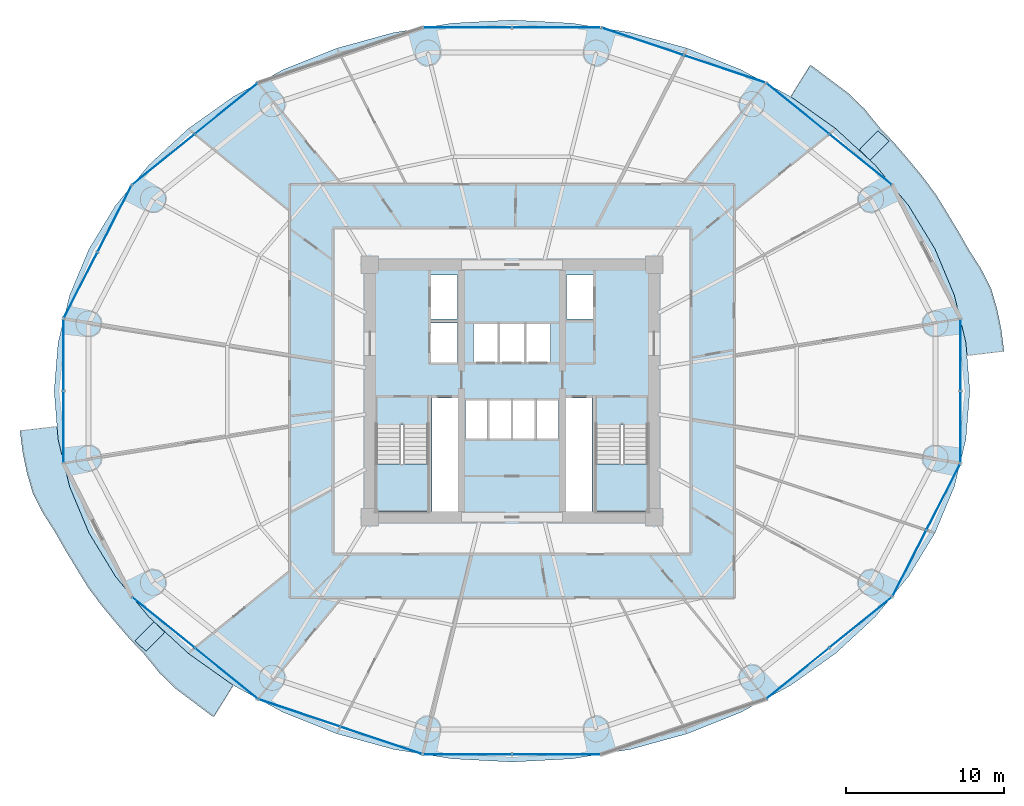
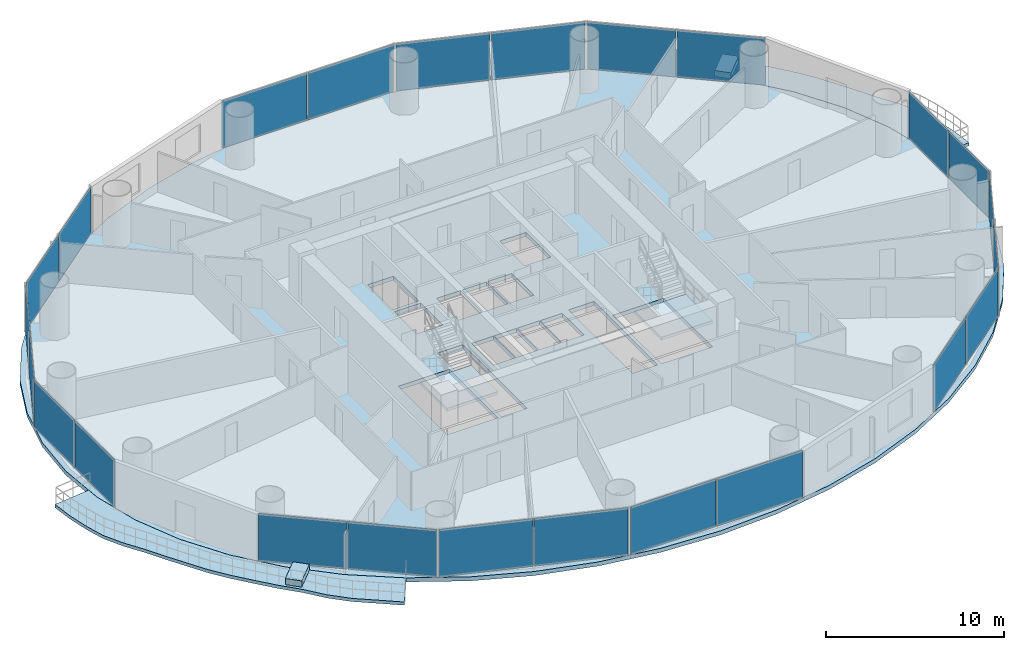
# One storey, part 22 of 30: 24 plates, 7 slabs, 14 elements without a shape of their own.
"""IFC4 building model written with IfcOpenShell, lengths in metres."""

from ifc_helpers import new_model, si_unit, direction, frame, origin, origin_2d, place, context, subcontext, project, spatial, polyline, rectangle, outline, extrude, source, transform, mapped, material, layer, layer_set, type_object, element, aggregate, save


model = new_model("IFC4")

# Units and contexts
model_context = context("Model", 3, precision=1e-05, world=origin(), true_north=direction((-0.2419218956, 0.970295726276)))
body_context = subcontext(model_context, "Body", "Model", "MODEL_VIEW")
ifc_project = project(units=[si_unit("LENGTHUNIT", "METRE"), si_unit("AREAUNIT", "SQUARE_METRE"), si_unit("VOLUMEUNIT", "CUBIC_METRE"), si_unit("PLANEANGLEUNIT", "RADIAN"), si_unit("MASSUNIT", "GRAM", prefix="KILO")], contexts=[model_context])

# Site, building, storey
site_placement = place(None, origin())
site = spatial("IfcSite", under=ifc_project, at=site_placement, CompositionType="ELEMENT")
building_placement = place(site_placement, origin())
building = spatial("IfcBuilding", under=site, at=building_placement, Name="Cobrevalo Terracotta Tower", CompositionType="ELEMENT")
storey_placement = place(building_placement, frame((0.0, 0.0, 27.60009765625)))
storey = spatial("IfcBuildingStorey", under=building, at=storey_placement, Name="L06", CompositionType="ELEMENT", Elevation=27.60009765625)

# Stair, slab
ifc_material_1 = material(Name="Concrete C50", Category="concrete")
stair_type = type_object("IfcStairType", Name="Core protected escape dogleg stair 1600", PredefinedType="HALF_TURN_STAIR", material=ifc_material_1)
stair_1_placement = place(storey_placement, origin())
stair_1 = element("IfcStair", 1, at=stair_1_placement, inside=storey, type_object=stair_type, Name="L06 Protected exit stair ST-1", PredefinedType="HALF_TURN_STAIR")
ifc_layer_1 = layer(ifc_material_1, 0.199951171875)
ifc_layer_set_1 = layer_set([ifc_layer_1], Name="Concrete C50")
slab_type_1 = type_object("IfcSlabType", Name="Reinforced Concrete Stair Landing 200", PredefinedType="LANDING", material=ifc_layer_set_1)
slab_1_placement = place(storey_placement, frame((0.0, 0.0, 1.599853515625)))
slab_1 = element("IfcSlab", 2, at=slab_1_placement, type_object=slab_type_1, Name="ST-1 landing 1", PredefinedType="LANDING", context=body_context, shape_type="SweptSolid", body=[
    extrude(outline(polyline([(29.375, 22.179931640625), (29.375, 19.175048828125), (32.695068359375, 19.175048828125), (32.695068359375, 22.179931640625), (29.375, 22.179931640625)])), origin(), (0.0, 0.0, 1.0), 0.199951171875),
])
aggregate(stair_1, [slab_1])

stair_2_placement = place(storey_placement, origin())
stair_2 = element("IfcStair", 3, at=stair_2_placement, inside=storey, type_object=stair_type, Name="L06 Protected exit stair ST-2", PredefinedType="HALF_TURN_STAIR")
slab_2_placement = place(storey_placement, frame((0.0, 0.0, 1.599853515625)))
slab_2 = element("IfcSlab", 4, at=slab_2_placement, type_object=slab_type_1, Name="ST-2 landing 1", PredefinedType="LANDING", context=body_context, shape_type="SweptSolid", body=[
    extrude(outline(polyline([(43.304931640625, 22.179931640625), (43.304931640625, 19.175048828125), (46.625, 19.175048828125), (46.625, 22.179931640625), (43.304931640625, 22.179931640625)])), origin(), (0.0, 0.0, 1.0), 0.199951171875),
])
aggregate(stair_2, [slab_2])

# Slabs
ifc_material_2 = material(Name="Concrete C45", Category="concrete")
ifc_layer_2 = layer(ifc_material_2, 0.219970703125)
ifc_layer_set_2 = layer_set([ifc_layer_2], Name="Concrete C45")
slab_type_2 = type_object("IfcSlabType", Name="Spiralling cantilevered balcony lobe slab 220 mm", PredefinedType="FLOOR", material=ifc_layer_set_2)
slab_3_placement = place(storey_placement, frame((0.0, 0.0, -0.22021484375)))
element("IfcSlab", 5, at=slab_3_placement, inside=storey, type_object=slab_type_2, Name="L06 spiralling arc balcony slab lobe 1", PredefinedType="FLOOR", context=body_context, shape_type="SweptSolid", body=[
    extrude(outline(polyline([(69.16455078125, 29.31884765625), (68.999755859375, 30.6630859375), (68.723388671875, 31.999755859375), (68.342041015625, 33.308349609375), (67.70947265625, 34.5361328125), (66.966064453125, 35.701171875), (66.294189453125, 36.877197265625), (65.584228515625, 38.050537109375), (64.870361328125, 39.218994140625), (64.042724609375, 40.330810546875), (63.153564453125, 41.410400390625), (62.246337890625, 42.47509765625), (61.2587890625, 43.51318359375), (60.345458984375, 44.6494140625), (59.2900390625, 45.670654296875), (58.1025390625, 46.560302734375), (56.916015625, 47.454345703125), (55.662841796875, 45.440185546875), (58.507568359375, 43.41845703125), (61.0087890625, 41.107177734375), (63.116455078125, 38.551025390625), (64.79443359375, 35.7939453125), (66.013671875, 32.8828125), (66.75390625, 29.86767578125), (66.82080078125, 29.04150390625), (69.16455078125, 29.31884765625)])), origin(), (0.0, 0.0, 1.0), 0.22021484375),
])
slab_4_placement = place(storey_placement, frame((0.0, 0.0, -0.22021484375)))
element("IfcSlab", 6, at=slab_4_placement, inside=storey, type_object=slab_type_2, Name="L06 spiralling arc balcony slab lobe 2", PredefinedType="FLOOR", context=body_context, shape_type="SweptSolid", body=[
    extrude(outline(polyline([(6.83544921875, 24.281005859375), (7.000244140625, 22.936767578125), (7.276611328125, 21.60009765625), (7.657958984375, 20.29150390625), (8.29052734375, 19.06396484375), (9.033935546875, 17.89892578125), (9.705810546875, 16.72265625), (10.415771484375, 15.54931640625), (11.129638671875, 14.381103515625), (11.957275390625, 13.26904296875), (12.846435546875, 12.189697265625), (13.753662109375, 11.125), (14.7412109375, 10.0869140625), (15.654541015625, 8.950439453125), (16.7099609375, 7.929443359375), (17.8974609375, 7.039794921875), (19.083984375, 6.1455078125), (20.337158203125, 8.159912109375), (17.492431640625, 10.181640625), (14.9912109375, 12.492919921875), (12.883544921875, 15.049072265625), (11.20556640625, 17.80615234375), (9.986328125, 20.71728515625), (9.24609375, 23.732421875), (9.17919921875, 24.55859375), (6.83544921875, 24.281005859375)])), origin(), (0.0, 0.0, 1.0), 0.22021484375),
])
ifc_material_3 = material(Name="Precast concrete C45", Category="concrete")
ifc_layer_3 = layer(ifc_material_3, 0.419921875)
ifc_layer_set_3 = layer_set([ifc_layer_3], Name="Precast concrete C45")
slab_type_3 = type_object("IfcSlabType", Name="Structural tree planter trough base 420 mm", PredefinedType="USERDEFINED", material=ifc_layer_set_3)
slab_5_placement = place(storey_placement, origin())
element("IfcSlab", 7, at=slab_5_placement, inside=storey, type_object=slab_type_3, Name="L06 structural tree planter trough 1", ObjectType="PLANTER", PredefinedType="USERDEFINED", context=body_context, shape_type="SweptSolid", body=[
    extrude(outline(polyline([(60.680908203125, 41.40771484375), (61.87158203125, 42.62109375), (61.186279296875, 43.29345703125), (59.995849609375, 42.080078125), (60.680908203125, 41.40771484375)])), origin(), (0.0, 0.0, 1.0), 0.419921875),
])
slab_6_placement = place(storey_placement, origin())
element("IfcSlab", 8, at=slab_6_placement, inside=storey, type_object=slab_type_3, Name="L06 structural tree planter trough 2", ObjectType="PLANTER", PredefinedType="USERDEFINED", context=body_context, shape_type="SweptSolid", body=[
    extrude(outline(polyline([(15.319091796875, 12.1923828125), (14.12841796875, 10.978759765625), (14.813720703125, 10.306640625), (16.004150390625, 11.52001953125), (15.319091796875, 12.1923828125)])), origin(), (0.0, 0.0, 1.0), 0.419921875),
])
ifc_layer_4 = layer(ifc_material_1, 0.280029296875)
ifc_layer_set_4 = layer_set([ifc_layer_4], Name="Concrete C50")
slab_type_4 = type_object("IfcSlabType", Name="Zone Z1 elliptical floor plate 280 mm", PredefinedType="FLOOR", material=ifc_layer_set_4)
slab_7_placement = place(storey_placement, frame((0.0, 0.0, -0.280029296875)))
element("IfcSlab", 9, at=slab_7_placement, inside=storey, type_object=slab_type_4, Name="L06 indoor elliptical floor slab", PredefinedType="FLOOR", context=body_context, shape_type="SweptSolid", body=[
    extrude(outline(polyline([(66.751953125, 23.732666015625), (66.011962890625, 20.7177734375), (64.79248046875, 17.806884765625), (63.11474609375, 15.050048828125), (61.00732421875, 12.494140625), (58.506103515625, 10.18310546875), (55.654052734375, 8.15625), (52.5, 6.448486328125), (49.097900390625, 5.0888671875), (45.505859375, 4.100830078125), (41.78515625, 3.5009765625), (38.0, 3.300048828125), (34.21484375, 3.5009765625), (30.494140625, 4.100830078125), (26.902099609375, 5.0888671875), (23.5, 6.448486328125), (20.345947265625, 8.15625), (17.493896484375, 10.18310546875), (14.99267578125, 12.494140625), (12.88525390625, 15.050048828125), (11.20751953125, 17.806884765625), (9.988037109375, 20.7177734375), (9.248046875, 23.732666015625), (9.0, 26.800048828125), (9.248046875, 29.867431640625), (9.988037109375, 32.88232421875), (11.20751953125, 35.79296875), (12.88525390625, 38.550048828125), (14.99267578125, 41.10595703125), (17.493896484375, 43.4169921875), (20.345947265625, 45.44384765625), (23.5, 47.151611328125), (26.902099609375, 48.51123046875), (30.494140625, 49.499267578125), (34.21484375, 50.098876953125), (38.0, 50.300048828125), (41.78515625, 50.098876953125), (45.505859375, 49.499267578125), (49.097900390625, 48.51123046875), (52.5, 47.151611328125), (55.654052734375, 45.44384765625), (58.506103515625, 43.4169921875), (61.00732421875, 41.10595703125), (63.11474609375, 38.550048828125), (64.79248046875, 35.79296875), (66.011962890625, 32.88232421875), (66.751953125, 29.867431640625), (67.0, 26.800048828125), (66.751953125, 23.732666015625)]), holes=[polyline([(32.695068359375, 19.175048828125), (32.695068359375, 24.659912109375), (29.375, 24.659912109375), (29.375, 19.175048828125), (32.695068359375, 19.175048828125)]), polyline([(34.574951171875, 19.175048828125), (34.574951171875, 26.360107421875), (32.919921875, 26.360107421875), (32.919921875, 19.175048828125), (34.574951171875, 19.175048828125)]), polyline([(36.47998046875, 23.800048828125), (36.47998046875, 26.25), (35.050048828125, 26.25), (35.050048828125, 23.800048828125), (36.47998046875, 23.800048828125)]), polyline([(37.9599609375, 23.800048828125), (37.9599609375, 26.25), (36.530029296875, 26.25), (36.530029296875, 23.800048828125), (37.9599609375, 23.800048828125)]), polyline([(37.1201171875, 28.60009765625), (37.1201171875, 31.050048828125), (35.550048828125, 31.050048828125), (35.550048828125, 28.60009765625), (37.1201171875, 28.60009765625)]), polyline([(34.550048828125, 28.60009765625), (34.550048828125, 31.10009765625), (32.85009765625, 31.10009765625), (32.85009765625, 28.60009765625), (34.550048828125, 28.60009765625)]), polyline([(34.550048828125, 31.35009765625), (34.550048828125, 34.14990234375), (32.85009765625, 34.14990234375), (32.85009765625, 31.35009765625), (34.550048828125, 31.35009765625)]), polyline([(46.625, 19.175048828125), (46.625, 24.659912109375), (43.304931640625, 24.659912109375), (43.304931640625, 19.175048828125), (46.625, 19.175048828125)]), polyline([(43.080078125, 19.175048828125), (43.080078125, 26.360107421875), (41.425048828125, 26.360107421875), (41.425048828125, 19.175048828125), (43.080078125, 19.175048828125)]), polyline([(39.469970703125, 23.800048828125), (39.469970703125, 26.25), (38.0400390625, 26.25), (38.0400390625, 23.800048828125), (39.469970703125, 23.800048828125)]), polyline([(40.949951171875, 23.800048828125), (40.949951171875, 26.25), (39.52001953125, 26.25), (39.52001953125, 23.800048828125), (40.949951171875, 23.800048828125)]), polyline([(38.780029296875, 28.60009765625), (38.780029296875, 31.050048828125), (37.219970703125, 31.050048828125), (37.219970703125, 28.60009765625), (38.780029296875, 28.60009765625)]), polyline([(40.449951171875, 28.60009765625), (40.449951171875, 31.050048828125), (38.8798828125, 31.050048828125), (38.8798828125, 28.60009765625), (40.449951171875, 28.60009765625)]), polyline([(43.14990234375, 31.35009765625), (43.14990234375, 34.14990234375), (41.449951171875, 34.14990234375), (41.449951171875, 31.35009765625), (43.14990234375, 31.35009765625)])]), origin(), (0.0, 0.0, 1.0), 0.280029296875),
])

# Curtain wall, plates
ifc_material_4 = material(Name="Anodized aluminium", Category="aluminium")
curtain_wall_type = type_object("IfcCurtainWallType", Name="Lower-tower unitised acoustic low-E curtain wall CW-U1", PredefinedType="NOTDEFINED", material=ifc_material_4)
curtain_wall_1_placement = place(storey_placement, origin())
curtain_wall_1 = element("IfcCurtainWall", 10, at=curtain_wall_1_placement, inside=storey, type_object=curtain_wall_type, Name="L06 curtain wall CW-L06-S02", PredefinedType="NOTDEFINED")
ifc_material_5 = material(Name="Solar-control low-E double glazing", Category="glass")
ifc_layer_5 = layer(ifc_material_5, 0.028076171875)
ifc_layer_set_5 = layer_set([ifc_layer_5], Name="Solar-control low-E double glazing")
plate_type = type_object("IfcPlateType", Name="Tower solar-control low-E vision glass panel 28 mm", PredefinedType="CURTAIN_PANEL", material=ifc_layer_set_5)
shared_shape_1 = source(origin(), body_context, "Body", "SweptSolid", [
    extrude(rectangle(XDim=5.023193359375, YDim=0.035888671875, at=origin_2d()), origin(), (0.0, 0.0, 1.0), 3.239990234375),
])
plate_1_placement = place(storey_placement, frame((60.073974609375, 41.470703125, 0.0400390625), z_axis=(0.0, 0.0, 1.0), x_axis=(-0.777007547884, 0.629491279154, 0.0)))
plate_1 = element("IfcPlate", 11, at=plate_1_placement, type_object=plate_type, Name="CW-L06-S02 glazing panel B01", PredefinedType="CURTAIN_PANEL", context=body_context, shape_type="MappedRepresentation", body=[
    mapped(shared_shape_1, transform((0.0, 0.0, 0.0), scale=1.0)),
])
plate_2_placement = place(storey_placement, frame((56.108642578125, 44.68310546875, 0.0400390625), z_axis=(0.0, 0.0, 1.0), x_axis=(-0.777007547884, 0.629491279154, 0.0)))
plate_2 = element("IfcPlate", 12, at=plate_2_placement, type_object=plate_type, Name="CW-L06-S02 glazing panel B02", PredefinedType="CURTAIN_PANEL", context=body_context, shape_type="MappedRepresentation", body=[
    mapped(shared_shape_1, transform((0.0, 0.0, 0.0), scale=1.0)),
])
aggregate(curtain_wall_1, [plate_1, plate_2])

curtain_wall_2_placement = place(storey_placement, origin())
curtain_wall_2 = element("IfcCurtainWall", 13, at=curtain_wall_2_placement, inside=storey, type_object=curtain_wall_type, Name="L06 curtain wall CW-L06-S06", PredefinedType="NOTDEFINED")
plate_3_placement = place(storey_placement, frame((19.891357421875, 44.68310546875, 0.0400390625), z_axis=(0.0, 0.0, 1.0), x_axis=(-0.777007547884, -0.629491279154, 0.0)))
plate_3 = element("IfcPlate", 14, at=plate_3_placement, type_object=plate_type, Name="CW-L06-S06 glazing panel B01", PredefinedType="CURTAIN_PANEL", context=body_context, shape_type="MappedRepresentation", body=[
    mapped(shared_shape_1, transform((0.0, 0.0, 0.0), scale=1.0)),
])
plate_4_placement = place(storey_placement, frame((15.926025390625, 41.470703125, 0.0400390625), z_axis=(0.0, 0.0, 1.0), x_axis=(-0.777007547884, -0.629491279154, 0.0)))
plate_4 = element("IfcPlate", 15, at=plate_4_placement, type_object=plate_type, Name="CW-L06-S06 glazing panel B02", PredefinedType="CURTAIN_PANEL", context=body_context, shape_type="MappedRepresentation", body=[
    mapped(shared_shape_1, transform((0.0, 0.0, 0.0), scale=1.0)),
])
aggregate(curtain_wall_2, [plate_3, plate_4])

curtain_wall_3_placement = place(storey_placement, origin())
curtain_wall_3 = element("IfcCurtainWall", 16, at=curtain_wall_3_placement, inside=storey, type_object=curtain_wall_type, Name="L06 curtain wall CW-L06-S10", PredefinedType="NOTDEFINED")
plate_5_placement = place(storey_placement, frame((15.926025390625, 12.12939453125, 0.0400390625), z_axis=(0.0, 0.0, 1.0), x_axis=(0.777007547884, -0.629491279154, 0.0)))
plate_5 = element("IfcPlate", 17, at=plate_5_placement, type_object=plate_type, Name="CW-L06-S10 glazing panel B01", PredefinedType="CURTAIN_PANEL", context=body_context, shape_type="MappedRepresentation", body=[
    mapped(shared_shape_1, transform((0.0, 0.0, 0.0), scale=1.0)),
])
plate_6_placement = place(storey_placement, frame((19.891357421875, 8.916748046875, 0.0400390625), z_axis=(0.0, 0.0, 1.0), x_axis=(0.777007547884, -0.629491279154, 0.0)))
plate_6 = element("IfcPlate", 18, at=plate_6_placement, type_object=plate_type, Name="CW-L06-S10 glazing panel B02", PredefinedType="CURTAIN_PANEL", context=body_context, shape_type="MappedRepresentation", body=[
    mapped(shared_shape_1, transform((0.0, 0.0, 0.0), scale=1.0)),
])
aggregate(curtain_wall_3, [plate_5, plate_6])

curtain_wall_4_placement = place(storey_placement, origin())
curtain_wall_4 = element("IfcCurtainWall", 19, at=curtain_wall_4_placement, inside=storey, type_object=curtain_wall_type, Name="L06 curtain wall CW-L06-S14", PredefinedType="NOTDEFINED")
plate_7_placement = place(storey_placement, frame((56.108642578125, 8.916748046875, 0.0400390625), z_axis=(0.0, 0.0, 1.0), x_axis=(0.777007547884, 0.629491279154, 0.0)))
plate_7 = element("IfcPlate", 20, at=plate_7_placement, type_object=plate_type, Name="CW-L06-S14 glazing panel B01", PredefinedType="CURTAIN_PANEL", context=body_context, shape_type="MappedRepresentation", body=[
    mapped(shared_shape_1, transform((0.0, 0.0, 0.0), scale=1.0)),
])
plate_8_placement = place(storey_placement, frame((60.073974609375, 12.12939453125, 0.0400390625), z_axis=(0.0, 0.0, 1.0), x_axis=(0.777007547884, 0.629491279154, 0.0)))
plate_8 = element("IfcPlate", 21, at=plate_8_placement, type_object=plate_type, Name="CW-L06-S14 glazing panel B02", PredefinedType="CURTAIN_PANEL", context=body_context, shape_type="MappedRepresentation", body=[
    mapped(shared_shape_1, transform((0.0, 0.0, 0.0), scale=1.0)),
])
aggregate(curtain_wall_4, [plate_7, plate_8])

curtain_wall_5_placement = place(storey_placement, origin())
curtain_wall_5 = element("IfcCurtainWall", 22, at=curtain_wall_5_placement, inside=storey, type_object=curtain_wall_type, Name="L06 curtain wall CW-L06-S03", PredefinedType="NOTDEFINED")
shared_shape_2 = source(origin(), body_context, "Body", "SweptSolid", [
    extrude(rectangle(XDim=5.3876953125, YDim=0.035888671875, at=origin_2d()), origin(), (0.0, 0.0, 1.0), 3.239990234375),
])
plate_9_placement = place(storey_placement, frame((51.465087890625, 47.197021484375, 0.0400390625), z_axis=(0.0, 0.0, 1.0), x_axis=(-0.948044172593, 0.318138722592, 0.0)))
plate_9 = element("IfcPlate", 23, at=plate_9_placement, type_object=plate_type, Name="CW-L06-S03 glazing panel B01", PredefinedType="CURTAIN_PANEL", context=body_context, shape_type="MappedRepresentation", body=[
    mapped(shared_shape_2, transform((0.0, 0.0, 0.0), scale=1.0)),
])
plate_10_placement = place(storey_placement, frame((46.281494140625, 48.9365234375, 0.0400390625), z_axis=(0.0, 0.0, 1.0), x_axis=(-0.948044172593, 0.318138722592, 0.0)))
plate_10 = element("IfcPlate", 24, at=plate_10_placement, type_object=plate_type, Name="CW-L06-S03 glazing panel B02", PredefinedType="CURTAIN_PANEL", context=body_context, shape_type="MappedRepresentation", body=[
    mapped(shared_shape_2, transform((0.0, 0.0, 0.0), scale=1.0)),
])
aggregate(curtain_wall_5, [plate_9, plate_10])

curtain_wall_6_placement = place(storey_placement, origin())
curtain_wall_6 = element("IfcCurtainWall", 25, at=curtain_wall_6_placement, inside=storey, type_object=curtain_wall_type, Name="L06 curtain wall CW-L06-S11", PredefinedType="NOTDEFINED")
plate_11_placement = place(storey_placement, frame((24.534912109375, 6.40283203125, 0.0400390625), z_axis=(0.0, 0.0, 1.0), x_axis=(0.948044172593, -0.318138722592, 0.0)))
plate_11 = element("IfcPlate", 26, at=plate_11_placement, type_object=plate_type, Name="CW-L06-S11 glazing panel B01", PredefinedType="CURTAIN_PANEL", context=body_context, shape_type="MappedRepresentation", body=[
    mapped(shared_shape_2, transform((0.0, 0.0, 0.0), scale=1.0)),
])
plate_12_placement = place(storey_placement, frame((29.718505859375, 4.663330078125, 0.0400390625), z_axis=(0.0, 0.0, 1.0), x_axis=(0.948044172593, -0.318138722592, 0.0)))
plate_12 = element("IfcPlate", 27, at=plate_12_placement, type_object=plate_type, Name="CW-L06-S11 glazing panel B02", PredefinedType="CURTAIN_PANEL", context=body_context, shape_type="MappedRepresentation", body=[
    mapped(shared_shape_2, transform((0.0, 0.0, 0.0), scale=1.0)),
])
aggregate(curtain_wall_6, [plate_11, plate_12])

curtain_wall_7_placement = place(storey_placement, origin())
curtain_wall_7 = element("IfcCurtainWall", 28, at=curtain_wall_7_placement, inside=storey, type_object=curtain_wall_type, Name="L06 curtain wall CW-L06-S04", PredefinedType="NOTDEFINED")
shared_shape_3 = source(origin(), body_context, "Body", "SweptSolid", [
    extrude(rectangle(XDim=5.53173828125, YDim=0.035888671875, at=origin_2d()), origin(), (0.0, 0.0, 1.0), 3.239990234375),
])
plate_13_placement = place(storey_placement, frame((40.805908203125, 49.819091796875, 0.0400390625), z_axis=(0.0, 0.0, 1.0), x_axis=(-1.0, 0.0, 0.0)))
plate_13 = element("IfcPlate", 29, at=plate_13_placement, type_object=plate_type, Name="CW-L06-S04 glazing panel B01", PredefinedType="CURTAIN_PANEL", context=body_context, shape_type="MappedRepresentation", body=[
    mapped(shared_shape_3, transform((0.0, 0.0, 0.0), scale=1.0)),
])
plate_14_placement = place(storey_placement, frame((35.194091796875, 49.819091796875, 0.0400390625), z_axis=(0.0, 0.0, 1.0), x_axis=(-1.0, 0.0, 0.0)))
plate_14 = element("IfcPlate", 30, at=plate_14_placement, type_object=plate_type, Name="CW-L06-S04 glazing panel B02", PredefinedType="CURTAIN_PANEL", context=body_context, shape_type="MappedRepresentation", body=[
    mapped(shared_shape_3, transform((0.0, 0.0, 0.0), scale=1.0)),
])
aggregate(curtain_wall_7, [plate_13, plate_14])

curtain_wall_8_placement = place(storey_placement, origin())
curtain_wall_8 = element("IfcCurtainWall", 31, at=curtain_wall_8_placement, inside=storey, type_object=curtain_wall_type, Name="L06 curtain wall CW-L06-S12", PredefinedType="NOTDEFINED")
plate_15_placement = place(storey_placement, frame((35.194091796875, 3.781005859375, 0.0400390625), z_axis=(0.0, 0.0, 1.0), x_axis=(1.0, 0.0, 0.0)))
plate_15 = element("IfcPlate", 32, at=plate_15_placement, type_object=plate_type, Name="CW-L06-S12 glazing panel B01", PredefinedType="CURTAIN_PANEL", context=body_context, shape_type="MappedRepresentation", body=[
    mapped(shared_shape_3, transform((0.0, 0.0, 0.0), scale=1.0)),
])
plate_16_placement = place(storey_placement, frame((40.805908203125, 3.781005859375, 0.0400390625), z_axis=(0.0, 0.0, 1.0), x_axis=(1.0, 0.0, 0.0)))
plate_16 = element("IfcPlate", 33, at=plate_16_placement, type_object=plate_type, Name="CW-L06-S12 glazing panel B02", PredefinedType="CURTAIN_PANEL", context=body_context, shape_type="MappedRepresentation", body=[
    mapped(shared_shape_3, transform((0.0, 0.0, 0.0), scale=1.0)),
])
aggregate(curtain_wall_8, [plate_15, plate_16])

curtain_wall_9_placement = place(storey_placement, origin())
curtain_wall_9 = element("IfcCurtainWall", 34, at=curtain_wall_9_placement, inside=storey, type_object=curtain_wall_type, Name="L06 curtain wall CW-L06-S08", PredefinedType="NOTDEFINED")
shared_shape_4 = source(origin(), body_context, "Body", "SweptSolid", [
    extrude(rectangle(XDim=4.458740234375, YDim=0.035888671875, at=origin_2d()), origin(), (0.0, 0.0, 1.0), 3.239990234375),
])
plate_17_placement = place(storey_placement, frame((9.586669921875, 29.0693359375, 0.0400390625), z_axis=(0.0, 0.0, 1.0), x_axis=(0.0, -1.0, 0.0)))
plate_17 = element("IfcPlate", 35, at=plate_17_placement, type_object=plate_type, Name="CW-L06-S08 glazing panel B01", PredefinedType="CURTAIN_PANEL", context=body_context, shape_type="MappedRepresentation", body=[
    mapped(shared_shape_4, transform((0.0, 0.0, 0.0), scale=1.0)),
])
plate_18_placement = place(storey_placement, frame((9.586669921875, 24.530517578125, 0.0400390625), z_axis=(0.0, 0.0, 1.0), x_axis=(0.0, -1.0, 0.0)))
plate_18 = element("IfcPlate", 36, at=plate_18_placement, type_object=plate_type, Name="CW-L06-S08 glazing panel B02", PredefinedType="CURTAIN_PANEL", context=body_context, shape_type="MappedRepresentation", body=[
    mapped(shared_shape_4, transform((0.0, 0.0, 0.0), scale=1.0)),
])
aggregate(curtain_wall_9, [plate_17, plate_18])

curtain_wall_10_placement = place(storey_placement, origin())
curtain_wall_10 = element("IfcCurtainWall", 37, at=curtain_wall_10_placement, inside=storey, type_object=curtain_wall_type, Name="L06 curtain wall CW-L06-S16", PredefinedType="NOTDEFINED")
plate_19_placement = place(storey_placement, frame((66.413330078125, 24.530517578125, 0.0400390625), z_axis=(0.0, 0.0, 1.0), x_axis=(0.0, 1.0, 0.0)))
plate_19 = element("IfcPlate", 38, at=plate_19_placement, type_object=plate_type, Name="CW-L06-S16 glazing panel B01", PredefinedType="CURTAIN_PANEL", context=body_context, shape_type="MappedRepresentation", body=[
    mapped(shared_shape_4, transform((0.0, 0.0, 0.0), scale=1.0)),
])
plate_20_placement = place(storey_placement, frame((66.413330078125, 29.0693359375, 0.0400390625), z_axis=(0.0, 0.0, 1.0), x_axis=(0.0, 1.0, 0.0)))
plate_20 = element("IfcPlate", 39, at=plate_20_placement, type_object=plate_type, Name="CW-L06-S16 glazing panel B02", PredefinedType="CURTAIN_PANEL", context=body_context, shape_type="MappedRepresentation", body=[
    mapped(shared_shape_4, transform((0.0, 0.0, 0.0), scale=1.0)),
])
aggregate(curtain_wall_10, [plate_19, plate_20])

curtain_wall_11_placement = place(storey_placement, origin())
curtain_wall_11 = element("IfcCurtainWall", 40, at=curtain_wall_11_placement, inside=storey, type_object=curtain_wall_type, Name="L06 curtain wall CW-L06-S07", PredefinedType="NOTDEFINED")
shared_shape_5 = source(origin(), body_context, "Body", "SweptSolid", [
    extrude(rectangle(XDim=4.631103515625, YDim=0.035888671875, at=origin_2d()), origin(), (0.0, 0.0, 1.0), 3.239990234375),
])
plate_21_placement = place(storey_placement, frame((12.82177734375, 37.706298828125, 0.0400390625), z_axis=(0.0, 0.0, 1.0), x_axis=(-0.45523102861, -0.890373354605, 0.0)))
plate_21 = element("IfcPlate", 41, at=plate_21_placement, type_object=plate_type, Name="CW-L06-S07 glazing panel B01", PredefinedType="CURTAIN_PANEL", context=body_context, shape_type="MappedRepresentation", body=[
    mapped(shared_shape_5, transform((0.0, 0.0, 0.0), scale=1.0)),
])
plate_22_placement = place(storey_placement, frame((10.67724609375, 33.51171875, 0.0400390625), z_axis=(0.0, 0.0, 1.0), x_axis=(-0.45523102861, -0.890373354605, 0.0)))
plate_22 = element("IfcPlate", 42, at=plate_22_placement, type_object=plate_type, Name="CW-L06-S07 glazing panel B02", PredefinedType="CURTAIN_PANEL", context=body_context, shape_type="MappedRepresentation", body=[
    mapped(shared_shape_5, transform((0.0, 0.0, 0.0), scale=1.0)),
])
aggregate(curtain_wall_11, [plate_21, plate_22])

curtain_wall_12_placement = place(storey_placement, origin())
curtain_wall_12 = element("IfcCurtainWall", 43, at=curtain_wall_12_placement, inside=storey, type_object=curtain_wall_type, Name="L06 curtain wall CW-L06-S15", PredefinedType="NOTDEFINED")
plate_23_placement = place(storey_placement, frame((63.17822265625, 15.893798828125, 0.0400390625), z_axis=(0.0, 0.0, 1.0), x_axis=(0.45523102861, 0.890373354605, 0.0)))
plate_23 = element("IfcPlate", 44, at=plate_23_placement, type_object=plate_type, Name="CW-L06-S15 glazing panel B01", PredefinedType="CURTAIN_PANEL", context=body_context, shape_type="MappedRepresentation", body=[
    mapped(shared_shape_5, transform((0.0, 0.0, 0.0), scale=1.0)),
])
plate_24_placement = place(storey_placement, frame((65.32275390625, 20.08837890625, 0.0400390625), z_axis=(0.0, 0.0, 1.0), x_axis=(0.45523102861, 0.890373354605, 0.0)))
plate_24 = element("IfcPlate", 45, at=plate_24_placement, type_object=plate_type, Name="CW-L06-S15 glazing panel B02", PredefinedType="CURTAIN_PANEL", context=body_context, shape_type="MappedRepresentation", body=[
    mapped(shared_shape_5, transform((0.0, 0.0, 0.0), scale=1.0)),
])
aggregate(curtain_wall_12, [plate_23, plate_24])

save(model, "model.ifc")
